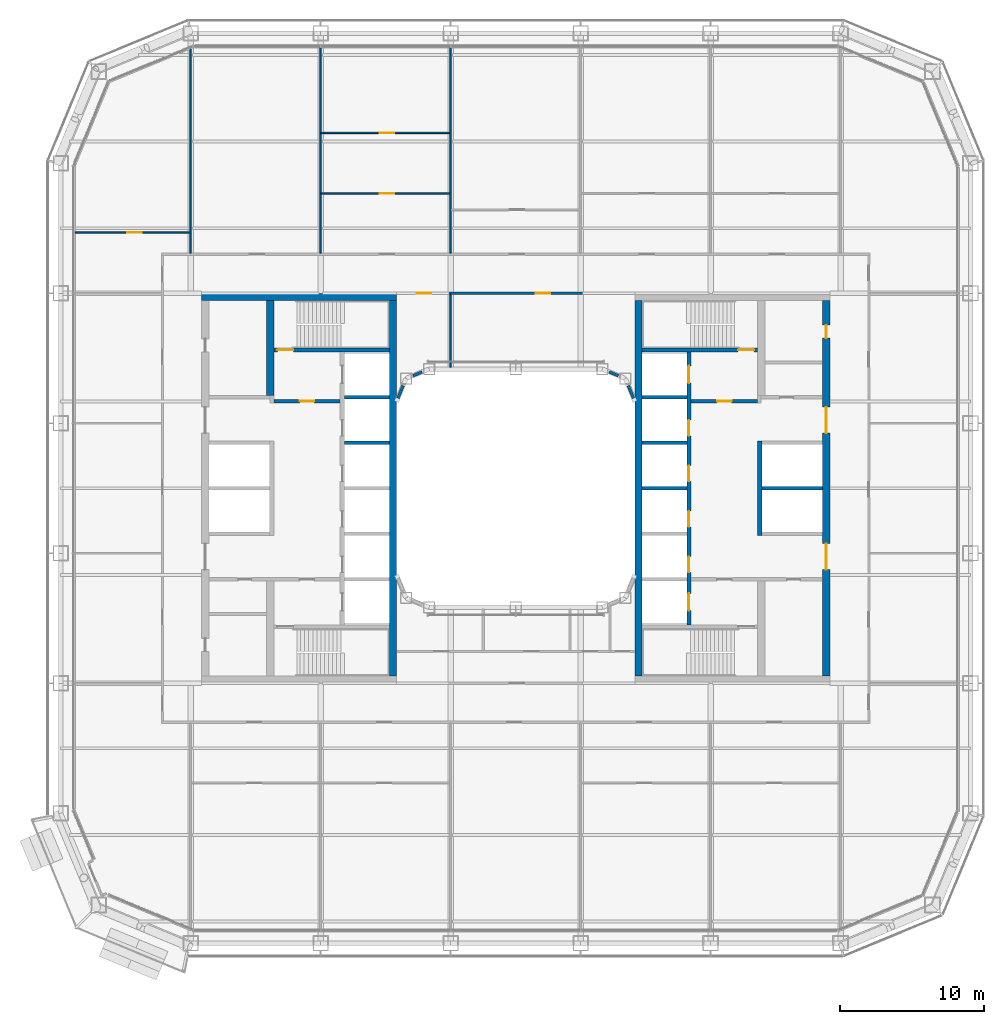
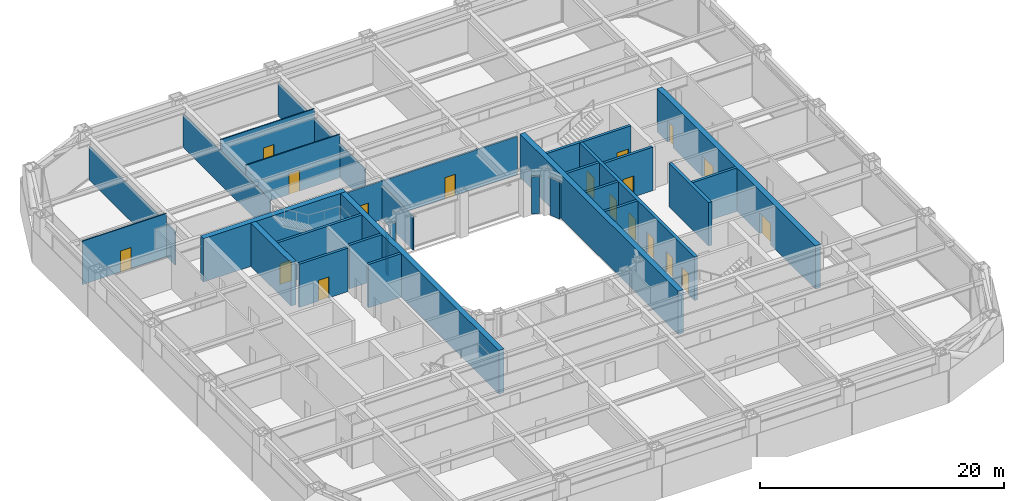
# One storey, part 15 of 27: 29 walls, 18 doors, 18 openings.
"""IFC4 building model written with IfcOpenShell, lengths in metres."""

from ifc_helpers import new_model, si_unit, direction, frame, frame_2d, origin, place, context, subcontext, project, spatial, rectangle, extrude, material, layer, layer_set, type_object, element, fill, save


model = new_model("IFC4")

# Units and contexts
model_context = context("Model", 3, precision=1e-05, world=origin(), true_north=direction((0.0, 1.0)))
body_context = subcontext(model_context, "Body", "Model", "MODEL_VIEW")
ifc_project = project(units=[si_unit("LENGTHUNIT", "METRE"), si_unit("AREAUNIT", "SQUARE_METRE"), si_unit("VOLUMEUNIT", "CUBIC_METRE"), si_unit("PLANEANGLEUNIT", "RADIAN"), si_unit("MASSUNIT", "GRAM", prefix="KILO")], contexts=[model_context])

# Site, building, storey
site_placement = place(None, origin())
site = spatial("IfcSite", under=ifc_project, at=site_placement, CompositionType="ELEMENT")
building_placement = place(site_placement, origin())
building = spatial("IfcBuilding", under=site, at=building_placement, Name="Siwar Civic Tower", CompositionType="ELEMENT")
storey_placement = place(building_placement, frame((0.0, 0.0, 35.699951171875)))
storey = spatial("IfcBuildingStorey", under=building, at=storey_placement, Name="L07", CompositionType="ELEMENT", Elevation=35.699951171875)

# Wall, opening, door
ifc_material_1 = material(Name="Concrete C60/75", Category="concrete")
ifc_layer_1 = layer(ifc_material_1, 0.25)
ifc_layer_set_1 = layer_set([ifc_layer_1], Name="Concrete C60/75")
wall_type_1 = type_object("IfcWallType", Name="CORE-WALL-RC250", PredefinedType="SHEAR", material=ifc_layer_set_1)
wall_1_placement = place(storey_placement, frame((-12.14990234375, 6.02490234375, 0.0), z_axis=(0.0, 0.0, 1.0), x_axis=(-1.0, 0.0, 0.0)))
wall_1 = element("IfcWall", 1, at=wall_1_placement, inside=storey, type_object=wall_type_1, Name="Core wall W", PredefinedType="SHEAR", context=body_context, shape_type="SweptSolid", body=[
    extrude(rectangle(XDim=4.60009765625, YDim=0.25, at=frame_2d((2.300048828125, 0.0))), origin(), (0.0, 0.0, 1.0), 4.35009765625),
])
opening_1_placement = place(wall_1_placement, frame((1.800048828125, 0.0, 0.0)))
opening_1 = element("IfcOpeningElement", 2, at=opening_1_placement, cuts=wall_1, Name="Opening L07-CW01", PredefinedType="OPENING", context=body_context, shape_type="SweptSolid", body=[
    extrude(rectangle(XDim=1.0, YDim=2.10009765625, at=frame_2d((0.5, 1.050048828125))), frame((0.0, 0.135009765625, 0.0), z_axis=(0.0, -1.0, 0.0), x_axis=(1.0, 0.0, 0.0)), (0.0, 0.0, 1.0), 0.27001953125),
])
ifc_material_2 = material(Name="Steel door leaf", Category="steel")
door_type_1 = type_object("IfcDoorType", Name="CORE-DOOR-FD30S", OperationType="SINGLE_SWING_LEFT", PredefinedType="DOOR", material=ifc_material_2)
door_1_placement = place(opening_1_placement, origin())
door_1 = element("IfcDoor", 3, at=door_1_placement, inside=storey, type_object=door_type_1, Name="Firefighting lobby door L07-CW01", OperationType="SINGLE_SWING_LEFT", OverallHeight=2.10009765625, OverallWidth=1.0, PredefinedType="DOOR", context=body_context, shape_type="SweptSolid", body=[
    extrude(rectangle(XDim=1.0, YDim=2.10009765625, at=frame_2d((0.5, 1.050048828125))), frame((0.0, 0.02490234375, 0.0), z_axis=(0.0, -1.0, 0.0), x_axis=(1.0, 0.0, 0.0)), (0.0, 0.0, 1.0), 0.050048828125),
])
fill(opening_1, door_1)

# Walls
for number, where, z_axis, x_axis, name in (
    (4, (-8.75, 3.14990234375, 0.0), (0.0, 0.0, 1.0), (-1.0, 0.0, 0.0), "Core wall W"),
    (5, (-8.75, 6.300048828125, 0.0), (0.0, 0.0, 1.0), (-1.0, 0.0, 0.0), "Core wall W"),
):
    element("IfcWall", number, at=place(storey_placement, frame(where, z_axis=z_axis, x_axis=x_axis)), inside=storey, type_object=wall_type_1, Name=name, PredefinedType="SHEAR", context=body_context, shape_type="SweptSolid", body=[
        extrude(rectangle(XDim=3.10009765625, YDim=0.25, at=frame_2d((1.550048828125, 0.0))), origin(), (0.0, 0.0, 1.0), 4.35009765625),
    ])

# Wall, opening, door
wall_2_placement = place(storey_placement, frame((-8.75, 9.574951171875, 0.0), z_axis=(0.0, 0.0, 1.0), x_axis=(-1.0, 0.0, 0.0)))
wall_2 = element("IfcWall", 6, at=wall_2_placement, inside=storey, type_object=wall_type_1, Name="Core wall W", PredefinedType="SHEAR", context=body_context, shape_type="SweptSolid", body=[
    extrude(rectangle(XDim=8.0, YDim=0.25, at=frame_2d((4.0, 0.0))), origin(), (0.0, 0.0, 1.0), 4.35009765625),
])
opening_2_placement = place(wall_2_placement, frame((6.64990234375, 0.0, 0.0)))
opening_2 = element("IfcOpeningElement", 7, at=opening_2_placement, cuts=wall_2, Name="Opening L07-CW03", PredefinedType="OPENING", context=body_context, shape_type="SweptSolid", body=[
    extrude(rectangle(XDim=1.10009765625, YDim=2.10009765625, at=frame_2d((0.550048828125, 1.050048828125))), frame((0.0, 0.135009765625, 0.0), z_axis=(0.0, -1.0, 0.0), x_axis=(1.0, 0.0, 0.0)), (0.0, 0.0, 1.0), 0.27001953125),
])
ifc_material_3 = material(Name="Steel door leaf", Category="steel")
door_type_2 = type_object("IfcDoorType", Name="CORE-DOOR-FD60S", OperationType="SINGLE_SWING_LEFT", PredefinedType="DOOR", material=ifc_material_3)
door_2_placement = place(opening_2_placement, origin())
door_2 = element("IfcDoor", 8, at=door_2_placement, inside=storey, type_object=door_type_2, Name="Stair door L07-CW03", OperationType="SINGLE_SWING_RIGHT", OverallHeight=2.10009765625, OverallWidth=1.10009765625, PredefinedType="DOOR", context=body_context, shape_type="SweptSolid", body=[
    extrude(rectangle(XDim=1.10009765625, YDim=2.10009765625, at=frame_2d((0.550048828125, 1.050048828125))), frame((0.0, 0.02490234375, 0.0), z_axis=(0.0, -1.0, 0.0), x_axis=(1.0, 0.0, 0.0)), (0.0, 0.0, 1.0), 0.050048828125),
])
fill(opening_2, door_2)

wall_3_placement = place(storey_placement, frame((12.14990234375, 6.02490234375, 0.0), z_axis=(0.0, 0.0, 1.0), x_axis=(1.0, 0.0, 0.0)))
wall_3 = element("IfcWall", 9, at=wall_3_placement, inside=storey, type_object=wall_type_1, Name="Core wall E", PredefinedType="SHEAR", context=body_context, shape_type="SweptSolid", body=[
    extrude(rectangle(XDim=4.60009765625, YDim=0.25, at=frame_2d((2.300048828125, 0.0))), origin(), (0.0, 0.0, 1.0), 4.35009765625),
])
opening_3_placement = place(wall_3_placement, frame((1.800048828125, 0.0, 0.0)))
opening_3 = element("IfcOpeningElement", 10, at=opening_3_placement, cuts=wall_3, Name="Opening L07-CE01", PredefinedType="OPENING", context=body_context, shape_type="SweptSolid", body=[
    extrude(rectangle(XDim=1.0, YDim=2.10009765625, at=frame_2d((0.5, 1.050048828125))), frame((0.0, 0.135009765625, 0.0), z_axis=(0.0, -1.0, 0.0), x_axis=(1.0, 0.0, 0.0)), (0.0, 0.0, 1.0), 0.27001953125),
])
door_3_placement = place(opening_3_placement, origin())
door_3 = element("IfcDoor", 11, at=door_3_placement, inside=storey, type_object=door_type_1, Name="Firefighting lobby door L07-CE01", OperationType="SINGLE_SWING_RIGHT", OverallHeight=2.10009765625, OverallWidth=1.0, PredefinedType="DOOR", context=body_context, shape_type="SweptSolid", body=[
    extrude(rectangle(XDim=1.0, YDim=2.10009765625, at=frame_2d((0.5, 1.050048828125))), frame((0.0, 0.02490234375, 0.0), z_axis=(0.0, -1.0, 0.0), x_axis=(1.0, 0.0, 0.0)), (0.0, 0.0, 1.0), 0.050048828125),
])
fill(opening_3, door_3)

# Walls
wall_4_placement = place(storey_placement, frame((17.050048828125, 0.0, 0.0), z_axis=(0.0, 0.0, 1.0), x_axis=(1.0, 0.0, 0.0)))
element("IfcWall", 12, at=wall_4_placement, inside=storey, type_object=wall_type_1, Name="Core wall E", PredefinedType="SHEAR", context=body_context, shape_type="SweptSolid", body=[
    extrude(rectangle(XDim=4.199951171875, YDim=0.25, at=frame_2d((2.10009765625, 0.0))), origin(), (0.0, 0.0, 1.0), 4.35009765625),
])
for number, where, z_axis, x_axis, name in (
    (13, (8.75, 0.0, 0.0), (0.0, 0.0, 1.0), (1.0, 0.0, 0.0), "Core wall E"),
    (14, (8.75, 3.14990234375, 0.0), (0.0, 0.0, 1.0), (1.0, 0.0, 0.0), "Core wall E"),
    (15, (8.75, 6.300048828125, 0.0), (0.0, 0.0, 1.0), (1.0, 0.0, 0.0), "Core wall E"),
):
    element("IfcWall", number, at=place(storey_placement, frame(where, z_axis=z_axis, x_axis=x_axis)), inside=storey, type_object=wall_type_1, Name=name, PredefinedType="SHEAR", context=body_context, shape_type="SweptSolid", body=[
        extrude(rectangle(XDim=3.10009765625, YDim=0.25, at=frame_2d((1.550048828125, 0.0))), origin(), (0.0, 0.0, 1.0), 4.35009765625),
    ])

# Wall, opening, door
wall_5_placement = place(storey_placement, frame((8.75, 9.574951171875, 0.0), z_axis=(0.0, 0.0, 1.0), x_axis=(1.0, 0.0, 0.0)))
wall_5 = element("IfcWall", 16, at=wall_5_placement, inside=storey, type_object=wall_type_1, Name="Core wall E", PredefinedType="SHEAR", context=body_context, shape_type="SweptSolid", body=[
    extrude(rectangle(XDim=8.0, YDim=0.25, at=frame_2d((4.0, 0.0))), origin(), (0.0, 0.0, 1.0), 4.35009765625),
])
opening_4_placement = place(wall_5_placement, frame((6.64990234375, 0.0, 0.0)))
opening_4 = element("IfcOpeningElement", 17, at=opening_4_placement, cuts=wall_5, Name="Opening L07-CE03", PredefinedType="OPENING", context=body_context, shape_type="SweptSolid", body=[
    extrude(rectangle(XDim=1.10009765625, YDim=2.10009765625, at=frame_2d((0.550048828125, 1.050048828125))), frame((0.0, 0.135009765625, 0.0), z_axis=(0.0, -1.0, 0.0), x_axis=(1.0, 0.0, 0.0)), (0.0, 0.0, 1.0), 0.27001953125),
])
door_4_placement = place(opening_4_placement, origin())
door_4 = element("IfcDoor", 18, at=door_4_placement, inside=storey, type_object=door_type_2, Name="Stair door L07-CE03", OperationType="SINGLE_SWING_LEFT", OverallHeight=2.10009765625, OverallWidth=1.10009765625, PredefinedType="DOOR", context=body_context, shape_type="SweptSolid", body=[
    extrude(rectangle(XDim=1.10009765625, YDim=2.10009765625, at=frame_2d((0.550048828125, 1.050048828125))), frame((0.0, 0.02490234375, 0.0), z_axis=(0.0, -1.0, 0.0), x_axis=(1.0, 0.0, 0.0)), (0.0, 0.0, 1.0), 0.050048828125),
])
fill(opening_4, door_4)

# Wall, openings, doors
ifc_material_4 = material(Name="Concrete C60/75", Category="concrete")
ifc_layer_2 = layer(ifc_material_4, 0.300048828125)
ifc_layer_set_2 = layer_set([ifc_layer_2], Name="Concrete C60/75")
wall_type_2 = type_object("IfcWallType", Name="CORE-WALL-RC300", PredefinedType="SHEAR", material=ifc_layer_set_2)
wall_6_placement = place(storey_placement, frame((12.0, -9.449951171875, 0.0), z_axis=(0.0, 0.0, 1.0), x_axis=(0.0, 1.0, 0.0)))
wall_6 = element("IfcWall", 19, at=wall_6_placement, inside=storey, type_object=wall_type_2, Name="Core wall E", PredefinedType="SHEAR", context=body_context, shape_type="SweptSolid", body=[
    extrude(rectangle(XDim=18.89990234375, YDim=0.300048828125, at=frame_2d((9.449951171875, 0.0))), origin(), (0.0, 0.0, 1.0), 4.35009765625),
])
opening_5_placement = place(wall_6_placement, frame((3.625, 0.0, 0.0)))
opening_5 = element("IfcOpeningElement", 20, at=opening_5_placement, cuts=wall_6, Name="Opening L07-CE07", PredefinedType="OPENING", context=body_context, shape_type="SweptSolid", body=[
    extrude(rectangle(XDim=1.10009765625, YDim=2.10009765625, at=frame_2d((0.550048828125, 1.050048828125))), frame((0.0, 0.16015625, 0.0), z_axis=(0.0, -1.0, 0.0), x_axis=(1.0, 0.0, 0.0)), (0.0, 0.0, 1.0), 0.320068359375),
])
opening_6_placement = place(wall_6_placement, frame((6.77490234375, 0.0, 0.0)))
opening_6 = element("IfcOpeningElement", 21, at=opening_6_placement, cuts=wall_6, Name="Opening L07-CE08", PredefinedType="OPENING", context=body_context, shape_type="SweptSolid", body=[
    extrude(rectangle(XDim=1.10009765625, YDim=2.10009765625, at=frame_2d((0.550048828125, 1.050048828125))), frame((0.0, 0.16015625, 0.0), z_axis=(0.0, -1.0, 0.0), x_axis=(1.0, 0.0, 0.0)), (0.0, 0.0, 1.0), 0.320068359375),
])
opening_7_placement = place(wall_6_placement, frame((9.925048828125, 0.0, 0.0)))
opening_7 = element("IfcOpeningElement", 22, at=opening_7_placement, cuts=wall_6, Name="Opening L07-CE09", PredefinedType="OPENING", context=body_context, shape_type="SweptSolid", body=[
    extrude(rectangle(XDim=1.10009765625, YDim=2.10009765625, at=frame_2d((0.550048828125, 1.050048828125))), frame((0.0, 0.16015625, 0.0), z_axis=(0.0, -1.0, 0.0), x_axis=(1.0, 0.0, 0.0)), (0.0, 0.0, 1.0), 0.320068359375),
])
opening_8_placement = place(wall_6_placement, frame((13.074951171875, 0.0, 0.0)))
opening_8 = element("IfcOpeningElement", 23, at=opening_8_placement, cuts=wall_6, Name="Opening L07-CE10", PredefinedType="OPENING", context=body_context, shape_type="SweptSolid", body=[
    extrude(rectangle(XDim=1.10009765625, YDim=2.10009765625, at=frame_2d((0.550048828125, 1.050048828125))), frame((0.0, 0.16015625, 0.0), z_axis=(0.0, -1.0, 0.0), x_axis=(1.0, 0.0, 0.0)), (0.0, 0.0, 1.0), 0.320068359375),
])
opening_9_placement = place(wall_6_placement, frame((16.72509765625, 0.0, 0.0)))
opening_9 = element("IfcOpeningElement", 24, at=opening_9_placement, cuts=wall_6, Name="Opening L07-CE11", PredefinedType="OPENING", context=body_context, shape_type="SweptSolid", body=[
    extrude(rectangle(XDim=1.199951171875, YDim=2.10009765625, at=frame_2d((0.60009765625, 1.050048828125))), frame((0.0, 0.16015625, 0.0), z_axis=(0.0, -1.0, 0.0), x_axis=(1.0, 0.0, 0.0)), (0.0, 0.0, 1.0), 0.320068359375),
])
opening_10_placement = place(wall_6_placement, frame((0.97509765625, 0.0, 0.0)))
opening_10 = element("IfcOpeningElement", 25, at=opening_10_placement, cuts=wall_6, Name="Opening L07-CE12", PredefinedType="OPENING", context=body_context, shape_type="SweptSolid", body=[
    extrude(rectangle(XDim=1.199951171875, YDim=2.10009765625, at=frame_2d((0.60009765625, 1.050048828125))), frame((0.0, 0.16015625, 0.0), z_axis=(0.0, -1.0, 0.0), x_axis=(1.0, 0.0, 0.0)), (0.0, 0.0, 1.0), 0.320068359375),
])
ifc_material_5 = material(Name="Steel door leaf", Category="steel")
door_type_3 = type_object("IfcDoorType", Name="CORE-DOOR-LD", OperationType="DOUBLE_DOOR_SLIDING", PredefinedType="DOOR", material=ifc_material_5)
door_5_placement = place(opening_5_placement, origin())
door_5 = element("IfcDoor", 26, at=door_5_placement, inside=storey, type_object=door_type_3, Name="Landing door LR5 L07-CE07", OperationType="DOUBLE_DOOR_SLIDING", OverallHeight=2.10009765625, OverallWidth=1.10009765625, PredefinedType="DOOR", context=body_context, shape_type="SweptSolid", body=[
    extrude(rectangle(XDim=1.10009765625, YDim=2.10009765625, at=frame_2d((0.550048828125, 1.050048828125))), frame((0.0, 0.02490234375, 0.0), z_axis=(0.0, -1.0, 0.0), x_axis=(1.0, 0.0, 0.0)), (0.0, 0.0, 1.0), 0.050048828125),
])
fill(opening_5, door_5)
door_6_placement = place(opening_6_placement, origin())
door_6 = element("IfcDoor", 27, at=door_6_placement, inside=storey, type_object=door_type_3, Name="Landing door LR6 L07-CE08", OperationType="DOUBLE_DOOR_SLIDING", OverallHeight=2.10009765625, OverallWidth=1.10009765625, PredefinedType="DOOR", context=body_context, shape_type="SweptSolid", body=[
    extrude(rectangle(XDim=1.10009765625, YDim=2.10009765625, at=frame_2d((0.550048828125, 1.050048828125))), frame((0.0, 0.02490234375, 0.0), z_axis=(0.0, -1.0, 0.0), x_axis=(1.0, 0.0, 0.0)), (0.0, 0.0, 1.0), 0.050048828125),
])
fill(opening_6, door_6)
door_7_placement = place(opening_7_placement, origin())
door_7 = element("IfcDoor", 28, at=door_7_placement, inside=storey, type_object=door_type_3, Name="Landing door LR7 L07-CE09", OperationType="DOUBLE_DOOR_SLIDING", OverallHeight=2.10009765625, OverallWidth=1.10009765625, PredefinedType="DOOR", context=body_context, shape_type="SweptSolid", body=[
    extrude(rectangle(XDim=1.10009765625, YDim=2.10009765625, at=frame_2d((0.550048828125, 1.050048828125))), frame((0.0, 0.02490234375, 0.0), z_axis=(0.0, -1.0, 0.0), x_axis=(1.0, 0.0, 0.0)), (0.0, 0.0, 1.0), 0.050048828125),
])
fill(opening_7, door_7)
door_8_placement = place(opening_8_placement, origin())
door_8 = element("IfcDoor", 29, at=door_8_placement, inside=storey, type_object=door_type_3, Name="Landing door LR8 L07-CE10", OperationType="DOUBLE_DOOR_SLIDING", OverallHeight=2.10009765625, OverallWidth=1.10009765625, PredefinedType="DOOR", context=body_context, shape_type="SweptSolid", body=[
    extrude(rectangle(XDim=1.10009765625, YDim=2.10009765625, at=frame_2d((0.550048828125, 1.050048828125))), frame((0.0, 0.02490234375, 0.0), z_axis=(0.0, -1.0, 0.0), x_axis=(1.0, 0.0, 0.0)), (0.0, 0.0, 1.0), 0.050048828125),
])
fill(opening_8, door_8)
ifc_material_6 = material(Name="Steel door leaf", Category="steel")
door_type_4 = type_object("IfcDoorType", Name="CORE-DOOR-LDW", OperationType="DOUBLE_DOOR_SLIDING", PredefinedType="DOOR", material=ifc_material_6)
door_9_placement = place(opening_9_placement, origin())
door_9 = element("IfcDoor", 30, at=door_9_placement, inside=storey, type_object=door_type_4, Name="Landing door FF2 L07-CE11", OperationType="DOUBLE_DOOR_SLIDING", OverallHeight=2.10009765625, OverallWidth=1.199951171875, PredefinedType="DOOR", context=body_context, shape_type="SweptSolid", body=[
    extrude(rectangle(XDim=1.199951171875, YDim=2.10009765625, at=frame_2d((0.60009765625, 1.050048828125))), frame((0.0, 0.02490234375, 0.0), z_axis=(0.0, -1.0, 0.0), x_axis=(1.0, 0.0, 0.0)), (0.0, 0.0, 1.0), 0.050048828125),
])
fill(opening_9, door_9)
door_10_placement = place(opening_10_placement, origin())
door_10 = element("IfcDoor", 31, at=door_10_placement, inside=storey, type_object=door_type_4, Name="Landing door SV2 L07-CE12", OperationType="DOUBLE_DOOR_SLIDING", OverallHeight=2.10009765625, OverallWidth=1.199951171875, PredefinedType="DOOR", context=body_context, shape_type="SweptSolid", body=[
    extrude(rectangle(XDim=1.199951171875, YDim=2.10009765625, at=frame_2d((0.60009765625, 1.050048828125))), frame((0.0, 0.02490234375, 0.0), z_axis=(0.0, -1.0, 0.0), x_axis=(1.0, 0.0, 0.0)), (0.0, 0.0, 1.0), 0.050048828125),
])
fill(opening_10, door_10)

# Walls
wall_7_placement = place(storey_placement, frame((16.89990234375, -3.27490234375, 0.0), z_axis=(0.0, 0.0, 1.0), x_axis=(0.0, 1.0, 0.0)))
element("IfcWall", 32, at=wall_7_placement, inside=storey, type_object=wall_type_2, Name="Core wall E", PredefinedType="SHEAR", context=body_context, shape_type="SweptSolid", body=[
    extrude(rectangle(XDim=6.5498046875, YDim=0.300048828125, at=frame_2d((3.27490234375, 0.0))), origin(), (0.0, 0.0, 1.0), 4.35009765625),
])
ifc_material_7 = material(Name="Concrete C60/75", Category="concrete")
ifc_layer_3 = layer(ifc_material_7, 0.5)
ifc_layer_set_3 = layer_set([ifc_layer_3], Name="Concrete C60/75")
wall_type_3 = type_object("IfcWallType", Name="CORE-WALL-RC500", PredefinedType="SHEAR", material=ifc_layer_set_3)
wall_8_placement = place(storey_placement, frame((-17.0, 6.425048828125, 0.0), z_axis=(0.0, 0.0, 1.0), x_axis=(0.0, 1.0, 0.0)))
element("IfcWall", 33, at=wall_8_placement, inside=storey, type_object=wall_type_3, Name="Core wall W", PredefinedType="SHEAR", context=body_context, shape_type="SweptSolid", body=[
    extrude(rectangle(XDim=6.574951171875, YDim=0.5, at=frame_2d((3.28759765625, 0.0))), origin(), (0.0, 0.0, 1.0), 4.35009765625),
])
wall_9_placement = place(storey_placement, frame((-8.25, 13.25, 0.0), z_axis=(0.0, 0.0, 1.0), x_axis=(-1.0, 0.0, 0.0)))
element("IfcWall", 34, at=wall_9_placement, inside=storey, type_object=wall_type_3, Name="Core wall W", PredefinedType="SHEAR", context=body_context, shape_type="SweptSolid", body=[
    extrude(rectangle(XDim=13.5, YDim=0.5, at=frame_2d((6.75, 0.0))), origin(), (0.0, 0.0, 1.0), 4.35009765625),
])

# Wall, openings, doors
wall_10_placement = place(storey_placement, frame((21.5, -13.0, 0.0), z_axis=(0.0, 0.0, 1.0), x_axis=(0.0, 1.0, 0.0)))
wall_10 = element("IfcWall", 35, at=wall_10_placement, inside=storey, type_object=wall_type_3, Name="Core wall E", PredefinedType="SHEAR", context=body_context, shape_type="SweptSolid", body=[
    extrude(rectangle(XDim=26.0, YDim=0.5, at=frame_2d((13.0, 0.0))), origin(), (0.0, 0.0, 1.0), 4.35009765625),
])
opening_11_placement = place(wall_10_placement, frame((16.824951171875, 0.0, 0.0)))
opening_11 = element("IfcOpeningElement", 36, at=opening_11_placement, cuts=wall_10, Name="Opening L07-CE05", PredefinedType="OPENING", context=body_context, shape_type="SweptSolid", body=[
    extrude(rectangle(XDim=1.800048828125, YDim=2.10009765625, at=frame_2d((0.89990234375, 1.050048828125))), frame((0.0, 0.260009765625, 0.0), z_axis=(0.0, -1.0, 0.0), x_axis=(1.0, 0.0, 0.0)), (0.0, 0.0, 1.0), 0.52001953125),
])
opening_12_placement = place(wall_10_placement, frame((7.375, 0.0, 0.0)))
opening_12 = element("IfcOpeningElement", 37, at=opening_12_placement, cuts=wall_10, Name="Opening L07-CE06", PredefinedType="OPENING", context=body_context, shape_type="SweptSolid", body=[
    extrude(rectangle(XDim=1.800048828125, YDim=2.10009765625, at=frame_2d((0.89990234375, 1.050048828125))), frame((0.0, 0.260009765625, 0.0), z_axis=(0.0, -1.0, 0.0), x_axis=(1.0, 0.0, 0.0)), (0.0, 0.0, 1.0), 0.52001953125),
])
opening_13_placement = place(wall_10_placement, frame((23.39990234375, 0.0, 0.0)))
opening_13 = element("IfcOpeningElement", 38, at=opening_13_placement, cuts=wall_10, Name="Opening L07-CE14", PredefinedType="OPENING", context=body_context, shape_type="SweptSolid", body=[
    extrude(rectangle(XDim=0.89990234375, YDim=2.10009765625, at=frame_2d((0.449951171875, 1.050048828125))), frame((0.0, 0.260009765625, 0.0), z_axis=(0.0, -1.0, 0.0), x_axis=(1.0, 0.0, 0.0)), (0.0, 0.0, 1.0), 0.52001953125),
])
ifc_material_8 = material(Name="Steel door leaf", Category="steel")
door_type_5 = type_object("IfcDoorType", Name="CORE-DOOR-PORT", OperationType="DOUBLE_DOOR_DOUBLE_SWING", PredefinedType="DOOR", material=ifc_material_8)
door_11_placement = place(opening_11_placement, origin())
door_11 = element("IfcDoor", 39, at=door_11_placement, inside=storey, type_object=door_type_5, Name="Core entrance door L07-CE05", OperationType="DOUBLE_DOOR_DOUBLE_SWING", OverallHeight=2.10009765625, OverallWidth=1.800048828125, PredefinedType="DOOR", context=body_context, shape_type="SweptSolid", body=[
    extrude(rectangle(XDim=1.800048828125, YDim=2.10009765625, at=frame_2d((0.89990234375, 1.050048828125))), frame((0.0, 0.02490234375, 0.0), z_axis=(0.0, -1.0, 0.0), x_axis=(1.0, 0.0, 0.0)), (0.0, 0.0, 1.0), 0.050048828125),
])
fill(opening_11, door_11)
door_12_placement = place(opening_12_placement, origin())
door_12 = element("IfcDoor", 40, at=door_12_placement, inside=storey, type_object=door_type_5, Name="Core entrance door L07-CE06", OperationType="DOUBLE_DOOR_DOUBLE_SWING", OverallHeight=2.10009765625, OverallWidth=1.800048828125, PredefinedType="DOOR", context=body_context, shape_type="SweptSolid", body=[
    extrude(rectangle(XDim=1.800048828125, YDim=2.10009765625, at=frame_2d((0.89990234375, 1.050048828125))), frame((0.0, 0.02490234375, 0.0), z_axis=(0.0, -1.0, 0.0), x_axis=(1.0, 0.0, 0.0)), (0.0, 0.0, 1.0), 0.050048828125),
])
fill(opening_12, door_12)
ifc_material_9 = material(Name="Steel door leaf", Category="steel")
door_type_6 = type_object("IfcDoorType", Name="CORE-DOOR-ROOM", OperationType="SINGLE_SWING_LEFT", PredefinedType="DOOR", material=ifc_material_9)
door_13_placement = place(opening_13_placement, origin())
door_13 = element("IfcDoor", 41, at=door_13_placement, inside=storey, type_object=door_type_6, Name="Core room door L07-CE14", OperationType="SINGLE_SWING_RIGHT", OverallHeight=2.10009765625, OverallWidth=0.89990234375, PredefinedType="DOOR", context=body_context, shape_type="SweptSolid", body=[
    extrude(rectangle(XDim=0.89990234375, YDim=2.10009765625, at=frame_2d((0.449951171875, 1.050048828125))), frame((0.0, 0.02490234375, 0.0), z_axis=(0.0, -1.0, 0.0), x_axis=(1.0, 0.0, 0.0)), (0.0, 0.0, 1.0), 0.050048828125),
])
fill(opening_13, door_13)

# Walls
ifc_material_10 = material(Name="Concrete C60/75", Category="concrete")
ifc_layer_4 = layer(ifc_material_10, 0.5)
ifc_layer_set_4 = layer_set([ifc_layer_4], Name="Concrete C60/75")
wall_type_4 = type_object("IfcWallType", Name="CORE-WALL-RC500-EXT", PredefinedType="SHEAR", material=ifc_layer_set_4)
for number, where, z_axis, x_axis, name in (
    (42, (-8.5, -13.0, 0.0), (0.0, 0.0, 1.0), (0.0, 1.0, 0.0), "Core wall W"),
    (43, (8.5, -13.0, 0.0), (0.0, 0.0, 1.0), (0.0, 1.0, 0.0), "Core wall E"),
):
    element("IfcWall", number, at=place(storey_placement, frame(where, z_axis=z_axis, x_axis=x_axis)), inside=storey, type_object=wall_type_4, Name=name, PredefinedType="SHEAR", context=body_context, shape_type="SweptSolid", body=[
        extrude(rectangle(XDim=26.0, YDim=0.5, at=frame_2d((13.0, 0.0))), origin(), (0.0, 0.0, 1.0), 4.35009765625),
    ])

# Wall, openings, doors
ifc_material_11 = material(Name="Gypsum board on steel studs", Category="steel")
ifc_layer_5 = layer(ifc_material_11, 0.14990234375)
ifc_layer_set_5 = layer_set([ifc_layer_5], Name="Gypsum board on steel studs")
wall_type_5 = type_object("IfcWallType", Name="CORRIDOR PARTITION 150 EI 30", PredefinedType="PARTITIONING", material=ifc_layer_set_5)
wall_11_placement = place(storey_placement, frame((-8.25, 13.5, 0.0), z_axis=(0.0, 0.0, 1.0), x_axis=(1.0, 0.0, 0.0)))
wall_11 = element("IfcWall", 44, at=wall_11_placement, inside=storey, type_object=wall_type_5, Name="L07/wall/P15", PredefinedType="PARTITIONING", context=body_context, shape_type="SweptSolid", body=[
    extrude(rectangle(XDim=16.5, YDim=0.14990234375, at=frame_2d((8.25, 0.0))), origin(), (0.0, 0.0, 1.0), 3.85009765625),
])
opening_14_placement = place(wall_11_placement, frame((1.39990234375, 0.0, 0.0)))
opening_14 = element("IfcOpeningElement", 45, at=opening_14_placement, cuts=wall_11, Name="Opening D1", PredefinedType="OPENING", context=body_context, shape_type="SweptSolid", body=[
    extrude(rectangle(XDim=1.0, YDim=2.10009765625, at=frame_2d((0.5, 1.050048828125))), frame((0.0, 0.0849609375, 0.0), z_axis=(0.0, -1.0, 0.0), x_axis=(1.0, 0.0, 0.0)), (0.0, 0.0, 1.0), 0.169921875),
])
opening_15_placement = place(wall_11_placement, frame((9.64990234375, 0.0, 0.0)))
opening_15 = element("IfcOpeningElement", 46, at=opening_15_placement, cuts=wall_11, Name="Opening D1", PredefinedType="OPENING", context=body_context, shape_type="SweptSolid", body=[
    extrude(rectangle(XDim=1.0, YDim=2.10009765625, at=frame_2d((0.5, 1.050048828125))), frame((0.0, 0.0849609375, 0.0), z_axis=(0.0, -1.0, 0.0), x_axis=(1.0, 0.0, 0.0)), (0.0, 0.0, 1.0), 0.169921875),
])
ifc_material_12 = material(Name="Timber, painted", Category="wood")
door_type_7 = type_object("IfcDoorType", Name="DOOR 1000 X 2100 FD30", OperationType="SINGLE_SWING_LEFT", PredefinedType="DOOR", material=ifc_material_12)
door_14_placement = place(opening_14_placement, origin())
door_14 = element("IfcDoor", 47, at=door_14_placement, inside=storey, type_object=door_type_7, Name="L07-D31", OperationType="SINGLE_SWING_LEFT", OverallHeight=2.10009765625, OverallWidth=1.0, PredefinedType="DOOR", context=body_context, shape_type="SweptSolid", body=[
    extrude(rectangle(XDim=1.0, YDim=2.10009765625, at=frame_2d((0.5, 1.050048828125))), frame((0.0, 0.02490234375, 0.0), z_axis=(0.0, -1.0, 0.0), x_axis=(1.0, 0.0, 0.0)), (0.0, 0.0, 1.0), 0.050048828125),
])
fill(opening_14, door_14)
door_15_placement = place(opening_15_placement, origin())
door_15 = element("IfcDoor", 48, at=door_15_placement, inside=storey, type_object=door_type_7, Name="L07-D32", OperationType="SINGLE_SWING_RIGHT", OverallHeight=2.10009765625, OverallWidth=1.0, PredefinedType="DOOR", context=body_context, shape_type="SweptSolid", body=[
    extrude(rectangle(XDim=1.0, YDim=2.10009765625, at=frame_2d((0.5, 1.050048828125))), frame((0.0, 0.02490234375, 0.0), z_axis=(0.0, -1.0, 0.0), x_axis=(1.0, 0.0, 0.0)), (0.0, 0.0, 1.0), 0.050048828125),
])
fill(opening_15, door_15)

# Walls
ifc_material_13 = material(Name="Aluminium clad insulated panel", Category="aluminium")
ifc_layer_6 = layer(ifc_material_13, 0.199951171875)
ifc_layer_set_6 = layer_set([ifc_layer_6], Name="Aluminium clad insulated panel")
wall_type_6 = type_object("IfcWallType", Name="ENV-WALL-WELL", PredefinedType="STANDARD", material=ifc_layer_set_6)
wall_12_placement = place(storey_placement, frame((8.154296875, 6.23095703125, 0.0), z_axis=(0.0, 0.0, 1.0), x_axis=(-0.382624318388, 0.923904016107, 0.0)))
element("IfcWall", 49, at=wall_12_placement, inside=storey, type_object=wall_type_6, Name="Light well corner wall NE1", PredefinedType="STANDARD", context=body_context, shape_type="SweptSolid", body=[
    extrude(rectangle(XDim=0.949462890625, YDim=0.199951171875, at=frame_2d((0.474609375, 0.0))), origin(), (0.0, 0.0, 1.0), 3.72998046875),
])
for number, where, z_axis, x_axis, name in (
    (50, (7.108154296875, 7.791015625, 0.0), (0.0, 0.0, 1.0), (-0.923854141361, 0.382744726273, 0.0), "Light well corner wall NE2"),
    (51, (-6.48291015625, 8.050048828125, 0.0), (0.0, 0.0, 1.0), (-0.923854141361, -0.382744726273, 0.0), "Light well corner wall NW1"),
):
    element("IfcWall", number, at=place(storey_placement, frame(where, z_axis=z_axis, x_axis=x_axis)), inside=storey, type_object=wall_type_6, Name=name, PredefinedType="STANDARD", context=body_context, shape_type="SweptSolid", body=[
        extrude(rectangle(XDim=0.6767578125, YDim=0.199951171875, at=frame_2d((0.33837890625, 0.0))), origin(), (0.0, 0.0, 1.0), 3.72998046875),
    ])
wall_13_placement = place(storey_placement, frame((-7.791015625, 7.108154296875, 0.0), z_axis=(0.0, 0.0, 1.0), x_axis=(-0.382624318388, -0.923904016107, 0.0)))
element("IfcWall", 52, at=wall_13_placement, inside=storey, type_object=wall_type_6, Name="Light well corner wall NW2", PredefinedType="STANDARD", context=body_context, shape_type="SweptSolid", body=[
    extrude(rectangle(XDim=0.949462890625, YDim=0.199951171875, at=frame_2d((0.474609375, 0.0))), origin(), (0.0, 0.0, 1.0), 3.72998046875),
])

# Wall, opening, door
ifc_material_14 = material(Name="Gypsum board on steel studs", Category="steel")
ifc_layer_7 = layer(ifc_material_14, 0.10009765625)
ifc_layer_set_7 = layer_set([ifc_layer_7], Name="Gypsum board on steel studs")
wall_type_7 = type_object("IfcWallType", Name="PARTITION 100 GYPSUM", PredefinedType="PARTITIONING", material=ifc_layer_set_7)
wall_14_placement = place(storey_placement, frame((-30.510009765625, 17.699951171875, 0.0), z_axis=(0.0, 0.0, 1.0), x_axis=(1.0, 0.0, 0.0)))
wall_14 = element("IfcWall", 53, at=wall_14_placement, inside=storey, type_object=wall_type_7, Name="L07/wall/P17", PredefinedType="PARTITIONING", context=body_context, shape_type="SweptSolid", body=[
    extrude(rectangle(XDim=7.9599609375, YDim=0.10009765625, at=frame_2d((3.97998046875, 0.0))), origin(), (0.0, 0.0, 1.0), 4.35009765625),
])
opening_16_placement = place(wall_14_placement, frame((3.610107421875, 0.0, 0.0)))
opening_16 = element("IfcOpeningElement", 54, at=opening_16_placement, cuts=wall_14, Name="Opening D2", PredefinedType="OPENING", context=body_context, shape_type="SweptSolid", body=[
    extrude(rectangle(XDim=1.0, YDim=2.10009765625, at=frame_2d((0.5, 1.050048828125))), frame((0.0, 0.06005859375, 0.0), z_axis=(0.0, -1.0, 0.0), x_axis=(1.0, 0.0, 0.0)), (0.0, 0.0, 1.0), 0.1201171875),
])
ifc_material_15 = material(Name="Timber, painted", Category="wood")
door_type_8 = type_object("IfcDoorType", Name="DOOR 1000 X 2100", OperationType="SINGLE_SWING_LEFT", PredefinedType="DOOR", material=ifc_material_15)
door_16_placement = place(opening_16_placement, origin())
door_16 = element("IfcDoor", 55, at=door_16_placement, inside=storey, type_object=door_type_8, Name="L07-D21", OperationType="SINGLE_SWING_LEFT", OverallHeight=2.10009765625, OverallWidth=1.0, PredefinedType="DOOR", context=body_context, shape_type="SweptSolid", body=[
    extrude(rectangle(XDim=1.0, YDim=2.10009765625, at=frame_2d((0.5, 1.050048828125))), frame((0.0, 0.02490234375, 0.0), z_axis=(0.0, -1.0, 0.0), x_axis=(1.0, 0.0, 0.0)), (0.0, 0.0, 1.0), 0.050048828125),
])
fill(opening_16, door_16)

wall_15_placement = place(storey_placement, frame((-13.449951171875, 20.39990234375, 0.0), z_axis=(0.0, 0.0, 1.0), x_axis=(1.0, 0.0, 0.0)))
wall_15 = element("IfcWall", 56, at=wall_15_placement, inside=storey, type_object=wall_type_7, Name="L07/wall/P19", PredefinedType="PARTITIONING", context=body_context, shape_type="SweptSolid", body=[
    extrude(rectangle(XDim=8.89990234375, YDim=0.10009765625, at=frame_2d((4.449951171875, 0.0))), origin(), (0.0, 0.0, 1.0), 4.35009765625),
])
opening_17_placement = place(wall_15_placement, frame((4.050048828125, 0.0, 0.0)))
opening_17 = element("IfcOpeningElement", 57, at=opening_17_placement, cuts=wall_15, Name="Opening D2", PredefinedType="OPENING", context=body_context, shape_type="SweptSolid", body=[
    extrude(rectangle(XDim=1.0, YDim=2.10009765625, at=frame_2d((0.5, 1.050048828125))), frame((0.0, 0.06005859375, 0.0), z_axis=(0.0, -1.0, 0.0), x_axis=(1.0, 0.0, 0.0)), (0.0, 0.0, 1.0), 0.1201171875),
])
door_17_placement = place(opening_17_placement, origin())
door_17 = element("IfcDoor", 58, at=door_17_placement, inside=storey, type_object=door_type_8, Name="L07-D03", OperationType="SINGLE_SWING_LEFT", OverallHeight=2.10009765625, OverallWidth=1.0, PredefinedType="DOOR", context=body_context, shape_type="SweptSolid", body=[
    extrude(rectangle(XDim=1.0, YDim=2.10009765625, at=frame_2d((0.5, 1.050048828125))), frame((0.0, 0.02490234375, 0.0), z_axis=(0.0, -1.0, 0.0), x_axis=(1.0, 0.0, 0.0)), (0.0, 0.0, 1.0), 0.050048828125),
])
fill(opening_17, door_17)

wall_16_placement = place(storey_placement, frame((-13.449951171875, 24.60009765625, 0.0), z_axis=(0.0, 0.0, 1.0), x_axis=(1.0, 0.0, 0.0)))
wall_16 = element("IfcWall", 59, at=wall_16_placement, inside=storey, type_object=wall_type_7, Name="L07/wall/P21", PredefinedType="PARTITIONING", context=body_context, shape_type="SweptSolid", body=[
    extrude(rectangle(XDim=8.89990234375, YDim=0.10009765625, at=frame_2d((4.449951171875, 0.0))), origin(), (0.0, 0.0, 1.0), 4.35009765625),
])
opening_18_placement = place(wall_16_placement, frame((4.050048828125, 0.0, 0.0)))
opening_18 = element("IfcOpeningElement", 60, at=opening_18_placement, cuts=wall_16, Name="Opening D2", PredefinedType="OPENING", context=body_context, shape_type="SweptSolid", body=[
    extrude(rectangle(XDim=1.0, YDim=2.10009765625, at=frame_2d((0.5, 1.050048828125))), frame((0.0, 0.06005859375, 0.0), z_axis=(0.0, -1.0, 0.0), x_axis=(1.0, 0.0, 0.0)), (0.0, 0.0, 1.0), 0.1201171875),
])
door_18_placement = place(opening_18_placement, origin())
door_18 = element("IfcDoor", 61, at=door_18_placement, inside=storey, type_object=door_type_8, Name="L07-D04", OperationType="SINGLE_SWING_RIGHT", OverallHeight=2.10009765625, OverallWidth=1.0, PredefinedType="DOOR", context=body_context, shape_type="SweptSolid", body=[
    extrude(rectangle(XDim=1.0, YDim=2.10009765625, at=frame_2d((0.5, 1.050048828125))), frame((0.0, 0.02490234375, 0.0), z_axis=(0.0, -1.0, 0.0), x_axis=(1.0, 0.0, 0.0)), (0.0, 0.0, 1.0), 0.050048828125),
])
fill(opening_18, door_18)

# Walls
wall_17_placement = place(storey_placement, frame((-22.5, 16.27490234375, 0.0), z_axis=(0.0, 0.0, 1.0), x_axis=(0.0, 1.0, 0.0)))
element("IfcWall", 62, at=wall_17_placement, inside=storey, type_object=wall_type_7, Name="L07/wall/P24", PredefinedType="PARTITIONING", context=body_context, shape_type="SweptSolid", body=[
    extrude(rectangle(XDim=14.153076171875, YDim=0.10009765625, at=frame_2d((7.07666015625, 0.0))), origin(), (0.0, 0.0, 1.0), 3.35009765625),
])
wall_18_placement = place(storey_placement, frame((-13.5, 16.27490234375, 0.0), z_axis=(0.0, 0.0, 1.0), x_axis=(0.0, 1.0, 0.0)))
element("IfcWall", 63, at=wall_18_placement, inside=storey, type_object=wall_type_7, Name="L07/wall/P27", PredefinedType="PARTITIONING", context=body_context, shape_type="SweptSolid", body=[
    extrude(rectangle(XDim=14.235107421875, YDim=0.10009765625, at=frame_2d((7.11767578125, 0.0))), origin(), (0.0, 0.0, 1.0), 3.35009765625),
])
wall_19_placement = place(storey_placement, frame((-4.5, 8.3701171875, 0.0), z_axis=(0.0, 0.0, 1.0), x_axis=(0.0, 1.0, 0.0)))
element("IfcWall", 64, at=wall_19_placement, inside=storey, type_object=wall_type_7, Name="L07/wall/P29", PredefinedType="PARTITIONING", context=body_context, shape_type="SweptSolid", body=[
    extrude(rectangle(XDim=5.054931640625, YDim=0.10009765625, at=frame_2d((2.52734375, 0.0))), origin(), (0.0, 0.0, 1.0), 3.35009765625),
])
wall_20_placement = place(storey_placement, frame((-4.5, 16.27490234375, 0.0), z_axis=(0.0, 0.0, 1.0), x_axis=(0.0, 1.0, 0.0)))
element("IfcWall", 65, at=wall_20_placement, inside=storey, type_object=wall_type_7, Name="L07/wall/P30", PredefinedType="PARTITIONING", context=body_context, shape_type="SweptSolid", body=[
    extrude(rectangle(XDim=14.235107421875, YDim=0.10009765625, at=frame_2d((7.11767578125, 0.0))), origin(), (0.0, 0.0, 1.0), 3.35009765625),
])

save(model, "model.ifc")
